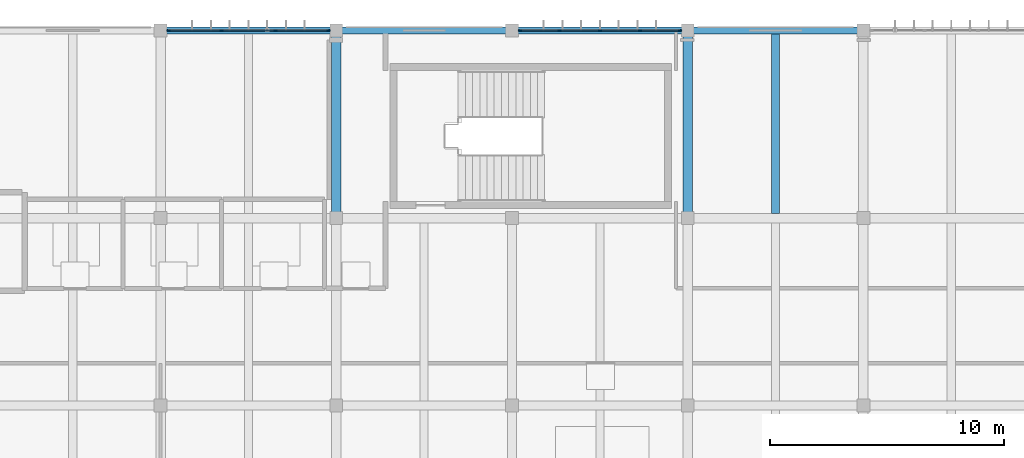
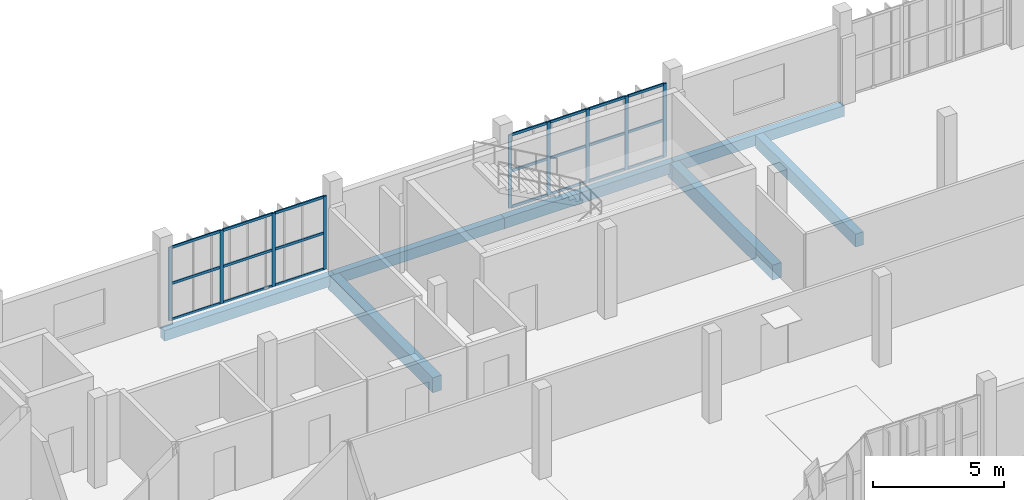
# One storey, part 17 of 61: 30 members, 7 beams, 2 elements without a shape of their own.
"""IFC4 building model written with IfcOpenShell, lengths in metres."""

from ifc_helpers import new_model, si_unit, direction, frame, origin, origin_2d, place, context, subcontext, project, spatial, rectangle, extrude, material, material_profile, profile_set, type_object, element, aggregate, save


model = new_model("IFC4")

# Units and contexts
model_context = context("Model", 3, precision=1e-05, world=origin(), true_north=direction((0.0, 1.0)))
body_context = subcontext(model_context, "Body", "Model", "MODEL_VIEW")
ifc_project = project(units=[si_unit("LENGTHUNIT", "METRE"), si_unit("AREAUNIT", "SQUARE_METRE"), si_unit("VOLUMEUNIT", "CUBIC_METRE"), si_unit("PLANEANGLEUNIT", "RADIAN"), si_unit("MASSUNIT", "GRAM", prefix="KILO")], contexts=[model_context])

# Site, building, storey
site_placement = place(None, origin())
site = spatial("IfcSite", under=ifc_project, at=site_placement, CompositionType="ELEMENT")
building_placement = place(site_placement, origin())
building = spatial("IfcBuilding", under=site, at=building_placement, Name="Vourika Railside Aquatics Centre", CompositionType="ELEMENT")
storey_placement = place(building_placement, frame((0.0, 0.0, 9.300048828125)))
storey = spatial("IfcBuildingStorey", under=building, at=storey_placement, Name="L02", CompositionType="ELEMENT", Elevation=9.300048828125)

# Beams
ifc_material_1 = material(Name="Concrete C35/45", Category="concrete")
ifc_material_profile_1 = material_profile(ifc_material_1, rectangle(XDim=0.39990234375, YDim=0.699951171875, at=origin_2d()), Name="RC 400x700")
ifc_profile_set_1 = profile_set([ifc_material_profile_1], Name="Concrete C35/45")
beam_type_1 = type_object("IfcBeamType", Name="BM-GIRD-400x700", PredefinedType="BEAM", material=ifc_profile_set_1)
for number, where, z_axis, x_axis, name in (
    (1, (73.5, 108.0, -0.630126953125), (0.0, 1.0, 0.0), (-1.0, 0.0, 0.0), "Floor Girder GY-L02-207"),
    (2, (88.5, 108.0, -0.630126953125), (0.0, 1.0, 0.0), (-1.0, 0.0, 0.0), "Floor Girder GY-L02-218"),
):
    element("IfcBeam", number, at=place(storey_placement, frame(where, z_axis=z_axis, x_axis=x_axis)), inside=storey, type_object=beam_type_1, Name=name, PredefinedType="BEAM", context=body_context, shape_type="SweptSolid", body=[
        extrude(rectangle(XDim=0.39990234375, YDim=0.699951171875, at=origin_2d()), origin(), (0.0, 0.0, 1.0), 8.0),
    ])
ifc_material_profile_2 = material_profile(ifc_material_1, rectangle(XDim=0.35009765625, YDim=0.60009765625, at=origin_2d()), Name="RC 350x600")
ifc_profile_set_2 = profile_set([ifc_material_profile_2], Name="Concrete C35/45")
beam_type_2 = type_object("IfcBeamType", Name="BM-SEC-350x600", PredefinedType="JOIST", material=ifc_profile_set_2)
beam_placement = place(storey_placement, frame((92.25, 108.199951171875, -0.580078125), z_axis=(0.0, 1.0, 0.0), x_axis=(-1.0, 0.0, 0.0)))
element("IfcBeam", 3, at=beam_placement, inside=storey, type_object=beam_type_2, Name="Secondary Joist JY-L02-367", PredefinedType="JOIST", context=body_context, shape_type="SweptSolid", body=[
    extrude(rectangle(XDim=0.35009765625, YDim=0.60009765625, at=origin_2d()), origin(), (0.0, 0.0, 1.0), 7.650146484375),
])
ifc_material_profile_3 = material_profile(ifc_material_1, rectangle(XDim=0.300048828125, YDim=0.5, at=origin_2d()), Name="RC 300x500")
ifc_profile_set_3 = profile_set([ifc_material_profile_3], Name="Concrete C35/45")
beam_type_3 = type_object("IfcBeamType", Name="BM-SPAN-300x500", PredefinedType="SPANDREL", material=ifc_profile_set_3)
for number, where, z_axis, x_axis, name in (
    (4, (66.0, 116.0, -0.530029296875), (1.0, 0.0, 0.0), (0.0, 1.0, 0.0), "Floor Beam GX-L02-139"),
    (5, (73.5, 116.0, -0.530029296875), (1.0, 0.0, 0.0), (0.0, 1.0, 0.0), "Floor Beam GX-L02-140"),
    (6, (81.0, 116.0, -0.530029296875), (1.0, 0.0, 0.0), (0.0, 1.0, 0.0), "Floor Beam GX-L02-141"),
    (7, (88.5, 116.0, -0.530029296875), (1.0, 0.0, 0.0), (0.0, 1.0, 0.0), "Floor Beam GX-L02-142"),
):
    element("IfcBeam", number, at=place(storey_placement, frame(where, z_axis=z_axis, x_axis=x_axis)), inside=storey, type_object=beam_type_3, Name=name, PredefinedType="SPANDREL", context=body_context, shape_type="SweptSolid", body=[
        extrude(rectangle(XDim=0.300048828125, YDim=0.5, at=origin_2d()), origin(), (0.0, 0.0, 1.0), 7.5),
    ])

# Curtain wall, members
ifc_material_2 = material(Name="Anodized thermally broken aluminium", Category="aluminium")
curtain_wall_type = type_object("IfcCurtainWallType", Name="CW-FIT2", PredefinedType="NOTDEFINED", material=ifc_material_2)
curtain_wall_1_placement = place(storey_placement, origin())
curtain_wall_1 = element("IfcCurtainWall", 8, at=curtain_wall_1_placement, inside=storey, type_object=curtain_wall_type, Name="North Boulevard Curtain Wall L02-7", PredefinedType="NOTDEFINED")
ifc_material_3 = material(Name="Anodized aluminium mullion", Category="aluminium")
ifc_material_profile_4 = material_profile(ifc_material_3, rectangle(XDim=0.06005859375, YDim=0.14990234375, at=origin_2d()), Name="ALU-M 60x150")
ifc_profile_set_4 = profile_set([ifc_material_profile_4], Name="Anodized aluminium mullion")
member_type_1 = type_object("IfcMemberType", Name="CWM-FIT2", PredefinedType="MULLION", material=ifc_profile_set_4)
member_1_placement = place(storey_placement, frame((73.1650390625, 116.0, 0.0), z_axis=(0.0, 0.0, 1.0), x_axis=(0.0, -1.0, 0.0)))
member_1 = element("IfcMember", 9, at=member_1_placement, type_object=member_type_1, Name="CW16 mullion 1", PredefinedType="MULLION", context=body_context, shape_type="SweptSolid", body=[
    extrude(rectangle(XDim=0.06005859375, YDim=0.14990234375, at=origin_2d()), origin(), (0.0, 0.0, 1.0), 3.419921875),
])
member_2_placement = place(storey_placement, frame((70.8984375, 116.0, 0.0), z_axis=(0.0, 0.0, 1.0), x_axis=(0.0, -1.0, 0.0)))
member_2 = element("IfcMember", 10, at=member_2_placement, type_object=member_type_1, Name="CW16 mullion 2", PredefinedType="MULLION", context=body_context, shape_type="SweptSolid", body=[
    extrude(rectangle(XDim=0.06005859375, YDim=0.14990234375, at=origin_2d()), origin(), (0.0, 0.0, 1.0), 3.419921875),
])
member_3_placement = place(storey_placement, frame((68.6015625, 116.0, 0.0), z_axis=(0.0, 0.0, 1.0), x_axis=(0.0, -1.0, 0.0)))
member_3 = element("IfcMember", 11, at=member_3_placement, type_object=member_type_1, Name="CW16 mullion 3", PredefinedType="MULLION", context=body_context, shape_type="SweptSolid", body=[
    extrude(rectangle(XDim=0.06005859375, YDim=0.14990234375, at=origin_2d()), origin(), (0.0, 0.0, 1.0), 3.419921875),
])
member_4_placement = place(storey_placement, frame((66.3349609375, 116.0, 0.0), z_axis=(0.0, 0.0, 1.0), x_axis=(0.0, -1.0, 0.0)))
member_4 = element("IfcMember", 12, at=member_4_placement, type_object=member_type_1, Name="CW16 mullion 4", PredefinedType="MULLION", context=body_context, shape_type="SweptSolid", body=[
    extrude(rectangle(XDim=0.06005859375, YDim=0.14990234375, at=origin_2d()), origin(), (0.0, 0.0, 1.0), 3.419921875),
])

curtain_wall_2_placement = place(storey_placement, origin())
curtain_wall_2 = element("IfcCurtainWall", 13, at=curtain_wall_2_placement, inside=storey, type_object=curtain_wall_type, Name="North Boulevard Curtain Wall L02-9", PredefinedType="NOTDEFINED")
member_5_placement = place(storey_placement, frame((88.1650390625, 116.0, 0.0), z_axis=(0.0, 0.0, 1.0), x_axis=(0.0, -1.0, 0.0)))
member_5 = element("IfcMember", 14, at=member_5_placement, type_object=member_type_1, Name="CW16 mullion 1", PredefinedType="MULLION", context=body_context, shape_type="SweptSolid", body=[
    extrude(rectangle(XDim=0.06005859375, YDim=0.14990234375, at=origin_2d()), origin(), (0.0, 0.0, 1.0), 3.419921875),
])
member_6_placement = place(storey_placement, frame((86.472412109375, 116.0, 0.0), z_axis=(0.0, 0.0, 1.0), x_axis=(0.0, -1.0, 0.0)))
member_6 = element("IfcMember", 15, at=member_6_placement, type_object=member_type_1, Name="CW16 mullion 2", PredefinedType="MULLION", context=body_context, shape_type="SweptSolid", body=[
    extrude(rectangle(XDim=0.06005859375, YDim=0.14990234375, at=origin_2d()), origin(), (0.0, 0.0, 1.0), 3.419921875),
])
member_7_placement = place(storey_placement, frame((84.75, 116.0, 0.0), z_axis=(0.0, 0.0, 1.0), x_axis=(0.0, -1.0, 0.0)))
member_7 = element("IfcMember", 16, at=member_7_placement, type_object=member_type_1, Name="CW16 mullion 3", PredefinedType="MULLION", context=body_context, shape_type="SweptSolid", body=[
    extrude(rectangle(XDim=0.06005859375, YDim=0.14990234375, at=origin_2d()), origin(), (0.0, 0.0, 1.0), 3.419921875),
])
member_8_placement = place(storey_placement, frame((83.027587890625, 116.0, 0.0), z_axis=(0.0, 0.0, 1.0), x_axis=(0.0, -1.0, 0.0)))
member_8 = element("IfcMember", 17, at=member_8_placement, type_object=member_type_1, Name="CW16 mullion 4", PredefinedType="MULLION", context=body_context, shape_type="SweptSolid", body=[
    extrude(rectangle(XDim=0.06005859375, YDim=0.14990234375, at=origin_2d()), origin(), (0.0, 0.0, 1.0), 3.419921875),
])
member_9_placement = place(storey_placement, frame((81.3349609375, 116.0, 0.0), z_axis=(0.0, 0.0, 1.0), x_axis=(0.0, -1.0, 0.0)))
member_9 = element("IfcMember", 18, at=member_9_placement, type_object=member_type_1, Name="CW16 mullion 5", PredefinedType="MULLION", context=body_context, shape_type="SweptSolid", body=[
    extrude(rectangle(XDim=0.06005859375, YDim=0.14990234375, at=origin_2d()), origin(), (0.0, 0.0, 1.0), 3.419921875),
])

# Member
ifc_material_4 = material(Name="Anodized aluminium transom", Category="aluminium")
ifc_material_profile_5 = material_profile(ifc_material_4, rectangle(XDim=0.06005859375, YDim=0.117919921875, at=origin_2d()), Name="ALU-T 60x118")
ifc_profile_set_5 = profile_set([ifc_material_profile_5], Name="Anodized aluminium transom")
member_type_2 = type_object("IfcMemberType", Name="CWT-FIT2", PredefinedType="USERDEFINED", material=ifc_profile_set_5)
member_10_placement = place(storey_placement, frame((73.135009765625, 116.0, 0.030029296875), z_axis=(-1.0, 0.0, 0.0), x_axis=(0.0, -1.0, 0.0)))
member_10 = element("IfcMember", 19, at=member_10_placement, type_object=member_type_2, Name="CW16 transom 1.1", ObjectType="TRANSOM", PredefinedType="USERDEFINED", context=body_context, shape_type="SweptSolid", body=[
    extrude(rectangle(XDim=0.06005859375, YDim=0.117919921875, at=origin_2d()), origin(), (0.0, 0.0, 1.0), 2.206787109375),
])

member_11_placement = place(storey_placement, frame((73.135009765625, 116.0, 1.7099609375), z_axis=(-1.0, 0.0, 0.0), x_axis=(0.0, -1.0, 0.0)))
member_11 = element("IfcMember", 20, at=member_11_placement, type_object=member_type_2, Name="CW16 transom 1.2", ObjectType="TRANSOM", PredefinedType="USERDEFINED", context=body_context, shape_type="SweptSolid", body=[
    extrude(rectangle(XDim=0.06005859375, YDim=0.117919921875, at=origin_2d()), origin(), (0.0, 0.0, 1.0), 2.206787109375),
])

member_12_placement = place(storey_placement, frame((73.135009765625, 116.0, 3.389892578125), z_axis=(-1.0, 0.0, 0.0), x_axis=(0.0, -1.0, 0.0)))
member_12 = element("IfcMember", 21, at=member_12_placement, type_object=member_type_2, Name="CW16 transom 1.3", ObjectType="TRANSOM", PredefinedType="USERDEFINED", context=body_context, shape_type="SweptSolid", body=[
    extrude(rectangle(XDim=0.06005859375, YDim=0.117919921875, at=origin_2d()), origin(), (0.0, 0.0, 1.0), 2.206787109375),
])

member_13_placement = place(storey_placement, frame((70.868408203125, 116.0, 0.030029296875), z_axis=(-1.0, 0.0, 0.0), x_axis=(0.0, -1.0, 0.0)))
member_13 = element("IfcMember", 22, at=member_13_placement, type_object=member_type_2, Name="CW16 transom 2.1", ObjectType="TRANSOM", PredefinedType="USERDEFINED", context=body_context, shape_type="SweptSolid", body=[
    extrude(rectangle(XDim=0.06005859375, YDim=0.117919921875, at=origin_2d()), origin(), (0.0, 0.0, 1.0), 2.23681640625),
])

member_14_placement = place(storey_placement, frame((70.868408203125, 116.0, 1.7099609375), z_axis=(-1.0, 0.0, 0.0), x_axis=(0.0, -1.0, 0.0)))
member_14 = element("IfcMember", 23, at=member_14_placement, type_object=member_type_2, Name="CW16 transom 2.2", ObjectType="TRANSOM", PredefinedType="USERDEFINED", context=body_context, shape_type="SweptSolid", body=[
    extrude(rectangle(XDim=0.06005859375, YDim=0.117919921875, at=origin_2d()), origin(), (0.0, 0.0, 1.0), 2.23681640625),
])

member_15_placement = place(storey_placement, frame((70.868408203125, 116.0, 3.389892578125), z_axis=(-1.0, 0.0, 0.0), x_axis=(0.0, -1.0, 0.0)))
member_15 = element("IfcMember", 24, at=member_15_placement, type_object=member_type_2, Name="CW16 transom 2.3", ObjectType="TRANSOM", PredefinedType="USERDEFINED", context=body_context, shape_type="SweptSolid", body=[
    extrude(rectangle(XDim=0.06005859375, YDim=0.117919921875, at=origin_2d()), origin(), (0.0, 0.0, 1.0), 2.23681640625),
])

member_16_placement = place(storey_placement, frame((68.57177734375, 116.0, 0.030029296875), z_axis=(-1.0, 0.0, 0.0), x_axis=(0.0, -1.0, 0.0)))
member_16 = element("IfcMember", 25, at=member_16_placement, type_object=member_type_2, Name="CW16 transom 3.1", ObjectType="TRANSOM", PredefinedType="USERDEFINED", context=body_context, shape_type="SweptSolid", body=[
    extrude(rectangle(XDim=0.06005859375, YDim=0.117919921875, at=origin_2d()), origin(), (0.0, 0.0, 1.0), 2.206787109375),
])

member_17_placement = place(storey_placement, frame((68.57177734375, 116.0, 1.7099609375), z_axis=(-1.0, 0.0, 0.0), x_axis=(0.0, -1.0, 0.0)))
member_17 = element("IfcMember", 26, at=member_17_placement, type_object=member_type_2, Name="CW16 transom 3.2", ObjectType="TRANSOM", PredefinedType="USERDEFINED", context=body_context, shape_type="SweptSolid", body=[
    extrude(rectangle(XDim=0.06005859375, YDim=0.117919921875, at=origin_2d()), origin(), (0.0, 0.0, 1.0), 2.206787109375),
])

member_18_placement = place(storey_placement, frame((68.57177734375, 116.0, 3.389892578125), z_axis=(-1.0, 0.0, 0.0), x_axis=(0.0, -1.0, 0.0)))
member_18 = element("IfcMember", 27, at=member_18_placement, type_object=member_type_2, Name="CW16 transom 3.3", ObjectType="TRANSOM", PredefinedType="USERDEFINED", context=body_context, shape_type="SweptSolid", body=[
    extrude(rectangle(XDim=0.06005859375, YDim=0.117919921875, at=origin_2d()), origin(), (0.0, 0.0, 1.0), 2.206787109375),
])

aggregate(curtain_wall_1, [member_1, member_2, member_3, member_4, member_10, member_11, member_12, member_13, member_14, member_15, member_16, member_17, member_18])

member_19_placement = place(storey_placement, frame((88.135009765625, 116.0, 0.030029296875), z_axis=(-1.0, 0.0, 0.0), x_axis=(0.0, -1.0, 0.0)))
member_19 = element("IfcMember", 28, at=member_19_placement, type_object=member_type_2, Name="CW16 transom 1.1", ObjectType="TRANSOM", PredefinedType="USERDEFINED", context=body_context, shape_type="SweptSolid", body=[
    extrude(rectangle(XDim=0.06005859375, YDim=0.117919921875, at=origin_2d()), origin(), (0.0, 0.0, 1.0), 1.632568359375),
])

member_20_placement = place(storey_placement, frame((88.135009765625, 116.0, 1.7099609375), z_axis=(-1.0, 0.0, 0.0), x_axis=(0.0, -1.0, 0.0)))
member_20 = element("IfcMember", 29, at=member_20_placement, type_object=member_type_2, Name="CW16 transom 1.2", ObjectType="TRANSOM", PredefinedType="USERDEFINED", context=body_context, shape_type="SweptSolid", body=[
    extrude(rectangle(XDim=0.06005859375, YDim=0.117919921875, at=origin_2d()), origin(), (0.0, 0.0, 1.0), 1.632568359375),
])

member_21_placement = place(storey_placement, frame((88.135009765625, 116.0, 3.389892578125), z_axis=(-1.0, 0.0, 0.0), x_axis=(0.0, -1.0, 0.0)))
member_21 = element("IfcMember", 30, at=member_21_placement, type_object=member_type_2, Name="CW16 transom 1.3", ObjectType="TRANSOM", PredefinedType="USERDEFINED", context=body_context, shape_type="SweptSolid", body=[
    extrude(rectangle(XDim=0.06005859375, YDim=0.117919921875, at=origin_2d()), origin(), (0.0, 0.0, 1.0), 1.632568359375),
])

member_22_placement = place(storey_placement, frame((86.4423828125, 116.0, 0.030029296875), z_axis=(-1.0, 0.0, 0.0), x_axis=(0.0, -1.0, 0.0)))
member_22 = element("IfcMember", 31, at=member_22_placement, type_object=member_type_2, Name="CW16 transom 2.1", ObjectType="TRANSOM", PredefinedType="USERDEFINED", context=body_context, shape_type="SweptSolid", body=[
    extrude(rectangle(XDim=0.06005859375, YDim=0.117919921875, at=origin_2d()), origin(), (0.0, 0.0, 1.0), 1.662353515625),
])

member_23_placement = place(storey_placement, frame((86.4423828125, 116.0, 1.7099609375), z_axis=(-1.0, 0.0, 0.0), x_axis=(0.0, -1.0, 0.0)))
member_23 = element("IfcMember", 32, at=member_23_placement, type_object=member_type_2, Name="CW16 transom 2.2", ObjectType="TRANSOM", PredefinedType="USERDEFINED", context=body_context, shape_type="SweptSolid", body=[
    extrude(rectangle(XDim=0.06005859375, YDim=0.117919921875, at=origin_2d()), origin(), (0.0, 0.0, 1.0), 1.662353515625),
])

member_24_placement = place(storey_placement, frame((86.4423828125, 116.0, 3.389892578125), z_axis=(-1.0, 0.0, 0.0), x_axis=(0.0, -1.0, 0.0)))
member_24 = element("IfcMember", 33, at=member_24_placement, type_object=member_type_2, Name="CW16 transom 2.3", ObjectType="TRANSOM", PredefinedType="USERDEFINED", context=body_context, shape_type="SweptSolid", body=[
    extrude(rectangle(XDim=0.06005859375, YDim=0.117919921875, at=origin_2d()), origin(), (0.0, 0.0, 1.0), 1.662353515625),
])

member_25_placement = place(storey_placement, frame((84.719970703125, 116.0, 0.030029296875), z_axis=(-1.0, 0.0, 0.0), x_axis=(0.0, -1.0, 0.0)))
member_25 = element("IfcMember", 34, at=member_25_placement, type_object=member_type_2, Name="CW16 transom 3.1", ObjectType="TRANSOM", PredefinedType="USERDEFINED", context=body_context, shape_type="SweptSolid", body=[
    extrude(rectangle(XDim=0.06005859375, YDim=0.117919921875, at=origin_2d()), origin(), (0.0, 0.0, 1.0), 1.662353515625),
])

member_26_placement = place(storey_placement, frame((84.719970703125, 116.0, 1.7099609375), z_axis=(-1.0, 0.0, 0.0), x_axis=(0.0, -1.0, 0.0)))
member_26 = element("IfcMember", 35, at=member_26_placement, type_object=member_type_2, Name="CW16 transom 3.2", ObjectType="TRANSOM", PredefinedType="USERDEFINED", context=body_context, shape_type="SweptSolid", body=[
    extrude(rectangle(XDim=0.06005859375, YDim=0.117919921875, at=origin_2d()), origin(), (0.0, 0.0, 1.0), 1.662353515625),
])

member_27_placement = place(storey_placement, frame((84.719970703125, 116.0, 3.389892578125), z_axis=(-1.0, 0.0, 0.0), x_axis=(0.0, -1.0, 0.0)))
member_27 = element("IfcMember", 36, at=member_27_placement, type_object=member_type_2, Name="CW16 transom 3.3", ObjectType="TRANSOM", PredefinedType="USERDEFINED", context=body_context, shape_type="SweptSolid", body=[
    extrude(rectangle(XDim=0.06005859375, YDim=0.117919921875, at=origin_2d()), origin(), (0.0, 0.0, 1.0), 1.662353515625),
])

member_28_placement = place(storey_placement, frame((82.99755859375, 116.0, 0.030029296875), z_axis=(-1.0, 0.0, 0.0), x_axis=(0.0, -1.0, 0.0)))
member_28 = element("IfcMember", 37, at=member_28_placement, type_object=member_type_2, Name="CW16 transom 4.1", ObjectType="TRANSOM", PredefinedType="USERDEFINED", context=body_context, shape_type="SweptSolid", body=[
    extrude(rectangle(XDim=0.06005859375, YDim=0.117919921875, at=origin_2d()), origin(), (0.0, 0.0, 1.0), 1.632568359375),
])

member_29_placement = place(storey_placement, frame((82.99755859375, 116.0, 1.7099609375), z_axis=(-1.0, 0.0, 0.0), x_axis=(0.0, -1.0, 0.0)))
member_29 = element("IfcMember", 38, at=member_29_placement, type_object=member_type_2, Name="CW16 transom 4.2", ObjectType="TRANSOM", PredefinedType="USERDEFINED", context=body_context, shape_type="SweptSolid", body=[
    extrude(rectangle(XDim=0.06005859375, YDim=0.117919921875, at=origin_2d()), origin(), (0.0, 0.0, 1.0), 1.632568359375),
])

member_30_placement = place(storey_placement, frame((82.99755859375, 116.0, 3.389892578125), z_axis=(-1.0, 0.0, 0.0), x_axis=(0.0, -1.0, 0.0)))
member_30 = element("IfcMember", 39, at=member_30_placement, type_object=member_type_2, Name="CW16 transom 4.3", ObjectType="TRANSOM", PredefinedType="USERDEFINED", context=body_context, shape_type="SweptSolid", body=[
    extrude(rectangle(XDim=0.06005859375, YDim=0.117919921875, at=origin_2d()), origin(), (0.0, 0.0, 1.0), 1.632568359375),
])

aggregate(curtain_wall_2, [member_5, member_6, member_7, member_8, member_9, member_19, member_20, member_21, member_22, member_23, member_24, member_25, member_26, member_27, member_28, member_29, member_30])

save(model, "model.ifc")
